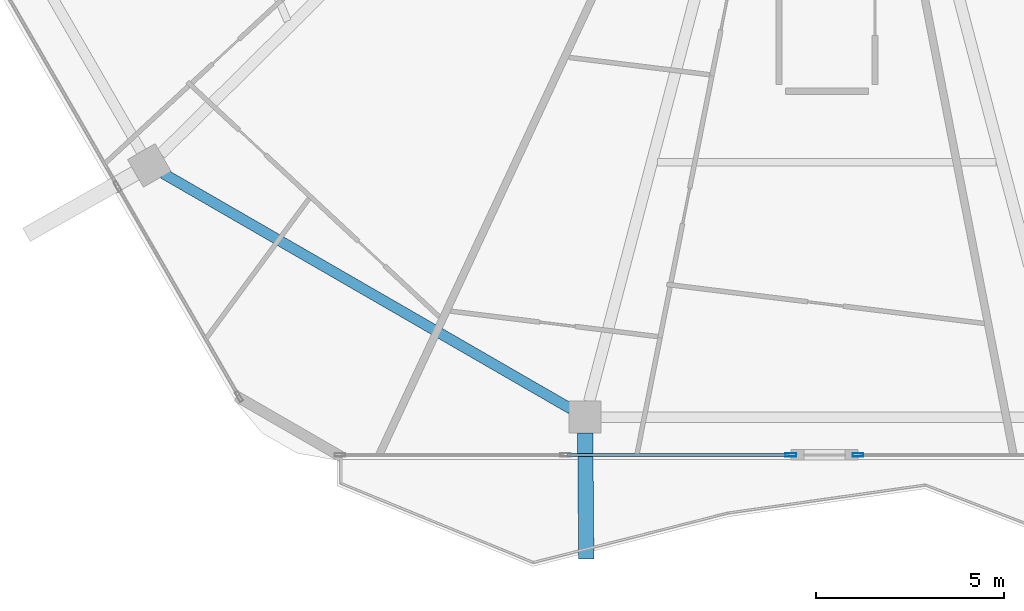
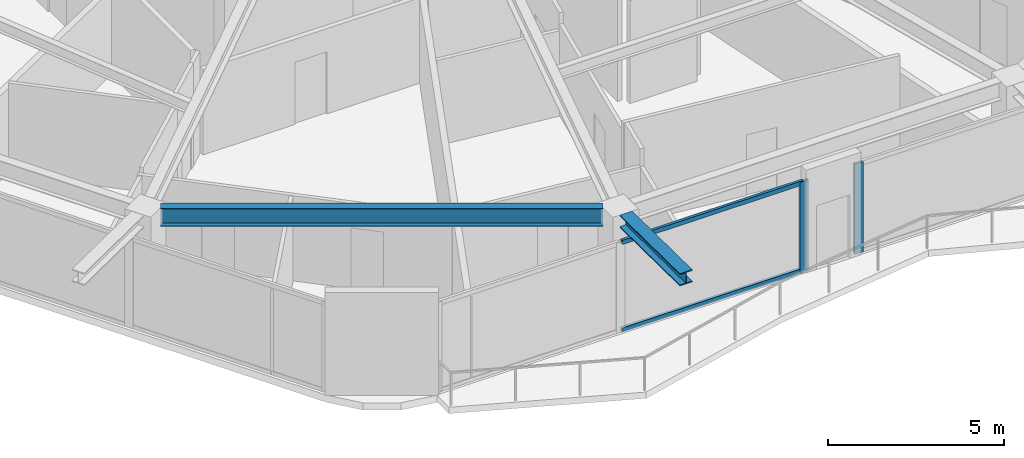
# One storey, part 3 of 27: 4 members, 2 beams, 2 elements without a shape of their own.
"""IFC4 building model written with IfcOpenShell, lengths in metres."""

from ifc_helpers import new_model, si_unit, direction, frame, origin, origin_2d, place, context, subcontext, project, spatial, hollow_rectangle, i_section, extrude, material, material_profile, profile_set, type_object, element, aggregate, save


model = new_model("IFC4")

# Units and contexts
model_context = context("Model", 3, precision=1e-05, world=origin(), true_north=direction((0.0, 1.0)))
body_context = subcontext(model_context, "Body", "Model", "MODEL_VIEW")
ifc_project = project(units=[si_unit("LENGTHUNIT", "METRE"), si_unit("AREAUNIT", "SQUARE_METRE"), si_unit("VOLUMEUNIT", "CUBIC_METRE"), si_unit("PLANEANGLEUNIT", "RADIAN"), si_unit("MASSUNIT", "GRAM", prefix="KILO")], contexts=[model_context])

# Site, building, storey
site_placement = place(None, origin())
site = spatial("IfcSite", under=ifc_project, at=site_placement, CompositionType="ELEMENT")
building_placement = place(site_placement, origin())
building = spatial("IfcBuilding", under=site, at=building_placement, Name="Zuhravey Tower", CompositionType="ELEMENT")
storey_placement = place(building_placement, frame((0.0, 0.0, 265.39990234375)))
storey = spatial("IfcBuildingStorey", under=building, at=storey_placement, Name="L67", CompositionType="ELEMENT", Elevation=265.39990234375)

# Curtain wall, member
ifc_material_1 = material(Name="Thermally broken anodised aluminium", Category="aluminium")
curtain_wall_type = type_object("IfcCurtainWallType", Name="Zone 3-4 High-Rise Curtain Wall CW4", PredefinedType="NOTDEFINED", material=ifc_material_1)
curtain_wall_1_placement = place(storey_placement, origin())
curtain_wall_1 = element("IfcCurtainWall", 1, at=curtain_wall_1_placement, inside=storey, type_object=curtain_wall_type, Name="L67 CW4 CW-L67-F5-1", PredefinedType="NOTDEFINED")
ifc_material_2 = material(Name="Anodised aluminium", Category="aluminium")
ifc_material_profile_1 = material_profile(ifc_material_2, hollow_rectangle(XDim=0.090087890625, YDim=0.284912109375, WallThickness=0.0048828125, at=origin_2d()), Name="ALU-RHS-90x285x5")
ifc_profile_set_1 = profile_set([ifc_material_profile_1], Name="Anodised aluminium")
member_type_1 = type_object("IfcMemberType", Name="Curtain-Wall Mullion 90x180", PredefinedType="MULLION", material=ifc_profile_set_1)
member_1_placement = place(storey_placement, frame((36.82861328125, 6.436279296875, 0.0), z_axis=(0.0, 0.0, 1.0), x_axis=(0.0, -1.0, 0.0)))
member_1 = element("IfcMember", 2, at=member_1_placement, type_object=member_type_1, Name="CW4 mullion 3", PredefinedType="MULLION", context=body_context, shape_type="SweptSolid", body=[
    extrude(hollow_rectangle(XDim=0.090087890625, YDim=0.284912109375, WallThickness=0.0048828125, at=origin_2d()), origin(), (0.0, 0.0, 1.0), 3.1220703125),
])
aggregate(curtain_wall_1, [member_1])

# Curtain wall, members
curtain_wall_2_placement = place(storey_placement, origin())
curtain_wall_2 = element("IfcCurtainWall", 3, at=curtain_wall_2_placement, inside=storey, type_object=curtain_wall_type, Name="L67 CW4 CW-L67-F5-2", PredefinedType="NOTDEFINED")
member_2_placement = place(storey_placement, frame((35.03857421875, 6.436279296875, 0.0), z_axis=(0.0, 0.0, 1.0), x_axis=(0.0, -1.0, 0.0)))
member_2 = element("IfcMember", 4, at=member_2_placement, type_object=member_type_1, Name="CW4 mullion 1", PredefinedType="MULLION", context=body_context, shape_type="SweptSolid", body=[
    extrude(hollow_rectangle(XDim=0.090087890625, YDim=0.284912109375, WallThickness=0.0048828125, at=origin_2d()), origin(), (0.0, 0.0, 1.0), 3.1220703125),
])
ifc_material_profile_2 = material_profile(ifc_material_2, hollow_rectangle(XDim=0.090087890625, YDim=0.14990234375, WallThickness=0.0048828125, at=origin_2d()), Name="ALU-RHS-90x150x5")
ifc_profile_set_2 = profile_set([ifc_material_profile_2], Name="Anodised aluminium")
member_type_2 = type_object("IfcMemberType", Name="Curtain-Wall Transom 90x150", PredefinedType="USERDEFINED", material=ifc_profile_set_2)
member_3_placement = place(storey_placement, frame((34.993408203125, 6.436279296875, 0.045166015625), z_axis=(-1.0, 0.0, 0.0), x_axis=(0.0, -1.0, 0.0)))
member_3 = element("IfcMember", 5, at=member_3_placement, type_object=member_type_2, Name="CW4 transom 1.1", ObjectType="TRANSOM", PredefinedType="USERDEFINED", context=body_context, shape_type="SweptSolid", body=[
    extrude(hollow_rectangle(XDim=0.090087890625, YDim=0.14990234375, WallThickness=0.0048828125, at=origin_2d()), origin(), (0.0, 0.0, 1.0), 5.9130859375),
])
member_4_placement = place(storey_placement, frame((34.993408203125, 6.436279296875, 3.0771484375), z_axis=(-1.0, 0.0, 0.0), x_axis=(0.0, -1.0, 0.0)))
member_4 = element("IfcMember", 6, at=member_4_placement, type_object=member_type_2, Name="CW4 transom 1.2", ObjectType="TRANSOM", PredefinedType="USERDEFINED", context=body_context, shape_type="SweptSolid", body=[
    extrude(hollow_rectangle(XDim=0.090087890625, YDim=0.14990234375, WallThickness=0.0048828125, at=origin_2d()), origin(), (0.0, 0.0, 1.0), 5.9130859375),
])
aggregate(curtain_wall_2, [member_2, member_3, member_4])

# Beams
ifc_material_3 = material(Name="Steel SM460", Category="steel")
ifc_material_profile_3 = material_profile(ifc_material_3, i_section(OverallWidth=0.406982421875, OverallDepth=0.427978515625, WebThickness=0.02001953125, FlangeThickness=0.034912109375, at=origin_2d()), Name="H-428x407x20x35")
ifc_profile_set_3 = profile_set([ifc_material_profile_3], Name="Steel SM460")
beam_type_1 = type_object("IfcBeamType", Name="Exoskeleton Node Tie Beam H428x407", PredefinedType="BEAM", material=ifc_profile_set_3)
beam_1_placement = place(storey_placement, frame((29.562744140625, 7.017333984375, 3.336181640625), z_axis=(0.008802219731, -0.999961259713, 0.0), x_axis=(0.999961259713, 0.008802219731, 0.0)))
element("IfcBeam", 7, at=beam_1_placement, inside=storey, type_object=beam_type_1, Name="L67 Exoskeleton Node Tie NT1-09", PredefinedType="BEAM", context=body_context, shape_type="SweptSolid", body=[
    extrude(i_section(OverallWidth=0.406982421875, OverallDepth=0.427978515625, WebThickness=0.02001953125, FlangeThickness=0.034912109375, at=origin_2d()), origin(), (0.0, 0.0, 1.0), 3.356201171875),
])
ifc_material_4 = material(Name="Steel SM355", Category="steel")
ifc_material_profile_4 = material_profile(ifc_material_4, i_section(OverallWidth=0.280029296875, OverallDepth=0.6201171875, WebThickness=0.011962890625, FlangeThickness=0.02001953125, at=origin_2d()), Name="H-620x280x12x20")
ifc_profile_set_4 = profile_set([ifc_material_profile_4], Name="Steel SM355")
beam_type_2 = type_object("IfcBeamType", Name="Perimeter Ring Beam H620x280", PredefinedType="BEAM", material=ifc_profile_set_4)
beam_2_placement = place(storey_placement, frame((18.3271484375, 13.931396484375, 3.239990234375), z_axis=(0.866018312875, -0.500012281615, 0.0), x_axis=(0.500012281615, 0.866018312875, 0.0)))
element("IfcBeam", 8, at=beam_2_placement, inside=storey, type_object=beam_type_2, Name="L67 PB3 BM-L67-PB-08", PredefinedType="BEAM", context=body_context, shape_type="SweptSolid", body=[
    extrude(i_section(OverallWidth=0.280029296875, OverallDepth=0.6201171875, WebThickness=0.011962890625, FlangeThickness=0.02001953125, at=origin_2d()), origin(), (0.0, 0.0, 1.0), 12.541748046875),
])

save(model, "model.ifc")
